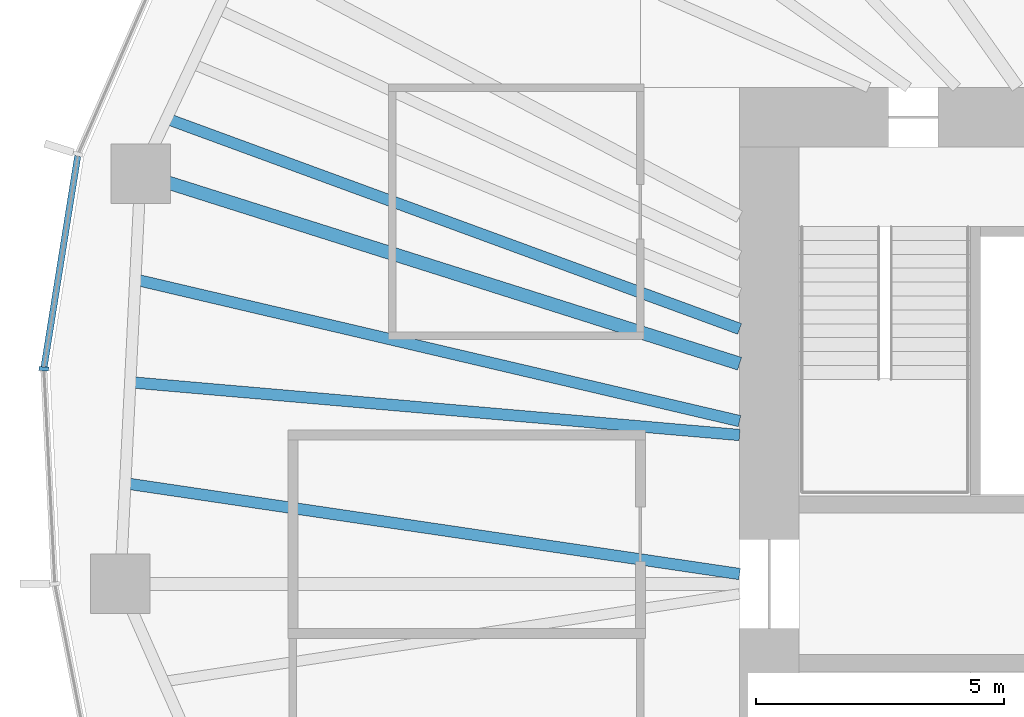
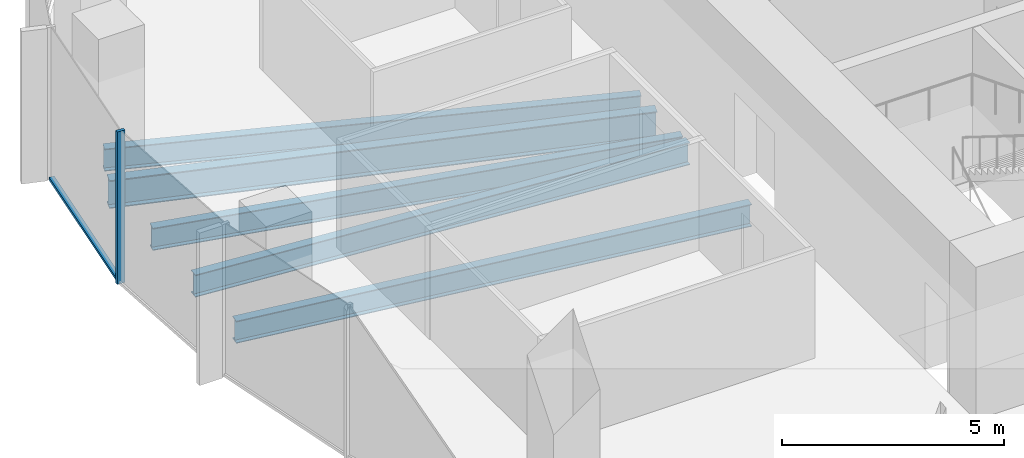
# One storey, part 3 of 12: 5 beams, 2 members, 1 element without a shape of its own.
"""IFC4 building model written with IfcOpenShell, lengths in metres."""

import ifcopenshell
import ifcopenshell.guid

model = None  # the IFC model being written
_history = None  # IfcOwnerHistory: only IFC2X3 demands one
_inside = {}  # id of a spatial element -> (the spatial element, [elements in it])
_under = {}  # id of a project, library or spatial element -> (it, [spatial elements below it])
_declared = {}  # id of a project -> (the project, [libraries it declares])
_typed = {}  # id of a type object -> (the type object, [elements of that type])
_made_of = {}  # id of a material, layer set ... -> (it, [elements and type objects made of it])


def new_model(schema):
    """Start an empty IFC model of exactly this schema.

    Asked for "IFC4X3", IfcOpenShell would pick the latest addendum, in which some entities
    have other attributes; the version numbers below select the first issue.
    IFC2X3 requires an IfcOwnerHistory on every rooted entity: one is made here for all.
    """
    global model, _history
    if schema == "IFC4X3":
        model = ifcopenshell.file(schema_version=(4, 3, 0, 0))
    else:
        model = ifcopenshell.file(schema=schema)
    _inside.clear()
    _under.clear()
    _declared.clear()
    _typed.clear()
    _made_of.clear()
    _history = None
    if model.schema == "IFC2X3":
        org = make("IfcOrganization", Name="unknown")
        user = make(
            "IfcPersonAndOrganization",
            ThePerson=make("IfcPerson", FamilyName="unknown"),
            TheOrganization=org,
        )
        app = make(
            "IfcApplication",
            ApplicationDeveloper=org,
            Version="unknown",
            ApplicationFullName="unknown",
            ApplicationIdentifier="unknown",
        )
        _history = make(
            "IfcOwnerHistory",
            OwningUser=user,
            OwningApplication=app,
            ChangeAction="ADDED",
            CreationDate=0,
        )
    return model


def make(cls, **values):
    """One entity of the class cls with the attributes given. An attribute that is None is left unset."""
    return model.create_entity(
        cls, **{name: value for name, value in values.items() if value is not None}
    )


def rooted(cls, **values):
    """An entity with a GlobalId (a new one), such as an element, a storey or a relation."""
    return make(cls, GlobalId=ifcopenshell.guid.new(), OwnerHistory=_history, **values)


def si_unit(unit_type, name, prefix=None):
    """IfcSIUnit, for example si_unit("LENGTHUNIT", "METRE", prefix="MILLI")."""
    return make("IfcSIUnit", UnitType=unit_type, Prefix=prefix, Name=name)


def assignment(units):
    """IfcUnitAssignment: the units of a project."""
    return None if units is None else make("IfcUnitAssignment", Units=units)


def point(xyz):
    """IfcCartesianPoint."""
    return None if xyz is None else make("IfcCartesianPoint", Coordinates=xyz)


def direction(xyz):
    """IfcDirection."""
    return None if xyz is None else make("IfcDirection", DirectionRatios=xyz)


def frame(location, z_axis=None, x_axis=None):
    """IfcAxis2Placement3D, a coordinate frame: its origin and axes. An axis left out is left unset."""
    return make(
        "IfcAxis2Placement3D",
        Location=point(location),
        Axis=direction(z_axis),
        RefDirection=direction(x_axis),
    )


def frame_2d(location, x_axis=None):
    """IfcAxis2Placement2D, a coordinate frame in the plane: its origin and x axis."""
    return make(
        "IfcAxis2Placement2D", Location=point(location), RefDirection=direction(x_axis)
    )


def origin():
    """The frame at (0, 0, 0) with its axes left unset."""
    return frame((0.0, 0.0, 0.0))


def origin_2d():
    """The frame at (0, 0) in the plane with its x axis left unset."""
    return frame_2d((0.0, 0.0))


def place(relative_to, where):
    """IfcLocalPlacement: puts the frame where relative to a parent placement (None: the world)."""
    return make(
        "IfcLocalPlacement", PlacementRelTo=relative_to, RelativePlacement=where
    )


def context(
    kind, dimensions, precision=None, world=None, true_north=None, identifier=None
):
    """IfcGeometricRepresentationContext, for example the 3D "Model" context."""
    return make(
        "IfcGeometricRepresentationContext",
        ContextIdentifier=identifier,
        ContextType=kind,
        CoordinateSpaceDimension=dimensions,
        Precision=precision,
        WorldCoordinateSystem=world,
        TrueNorth=true_north,
    )


def subcontext(parent, identifier, kind, view, scale=None):
    """IfcGeometricRepresentationSubContext, for example "Body" below "Model"."""
    return make(
        "IfcGeometricRepresentationSubContext",
        ContextIdentifier=identifier,
        ContextType=kind,
        ParentContext=parent,
        TargetScale=scale,
        TargetView=view,
    )


def project(units=None, contexts=None):
    """IfcProject with its units and contexts."""
    return rooted(
        "IfcProject",
        Name="project",
        RepresentationContexts=contexts,
        UnitsInContext=assignment(units),
    )


def spatial(cls, under=None, at=None, **own):
    """A site, building, storey or space (cls), placed at a placement, below another one or the project."""
    s = rooted(cls, ObjectPlacement=at, **own)
    if under is not None:
        _under.setdefault(under.id(), (under, []))[1].append(s)
    return s


def profile(cls, at=None, kind="AREA", **sizes):
    """A parametric profile (cls). Its sizes go by their IFC names, for example OverallWidth=200.0."""
    return make(cls, ProfileType=kind, Position=at, **sizes)


def rectangle(**sizes):
    """IfcRectangleProfileDef."""
    return profile("IfcRectangleProfileDef", **sizes)


def i_section(**sizes):
    """IfcIShapeProfileDef."""
    return profile("IfcIShapeProfileDef", **sizes)


def extrude(swept, where, along, depth):
    """IfcExtrudedAreaSolid: the profile swept, set in the frame where, extruded along a direction by depth."""
    return make(
        "IfcExtrudedAreaSolid",
        SweptArea=swept,
        Position=where,
        ExtrudedDirection=direction(along),
        Depth=depth,
    )


def shape(context_of_items, identifier, shape_type, items):
    """IfcShapeRepresentation: the items that make up one representation, for example the "Body"."""
    return make(
        "IfcShapeRepresentation",
        ContextOfItems=context_of_items,
        RepresentationIdentifier=identifier,
        RepresentationType=shape_type,
        Items=items,
    )


def material(Name=None, Category=None):
    """IfcMaterial."""
    return make("IfcMaterial", Name=Name, Category=Category)


def material_profile(
    of_material, cross_section, Name=None, Category=None, Priority=None
):
    """IfcMaterialProfile: a cross section and its material."""
    return make(
        "IfcMaterialProfile",
        Name=Name,
        Material=of_material,
        Profile=cross_section,
        Priority=Priority,
        Category=Category,
    )


def profile_set(profiles, Name=None, composite=None):
    """IfcMaterialProfileSet."""
    return make(
        "IfcMaterialProfileSet",
        Name=Name,
        MaterialProfiles=profiles,
        CompositeProfile=composite,
    )


def made_of(thing, what):
    """Note that an element or type object is made of a material, layer set ...; save() writes the relation."""
    if what is not None:
        _made_of.setdefault(what.id(), (what, []))[1].append(thing)
    return thing


def type_object(cls, material=None, **own):
    """A type object (cls), such as IfcWallType, which elements share."""
    return made_of(rooted(cls, **own), material)


def element(
    cls,
    number,
    at=None,
    inside=None,
    cuts=None,
    type_object=None,
    material=None,
    context=None,
    identifier="Body",
    shape_type=None,
    held_by="IfcProductDefinitionShape",
    body=None,
    shapes=None,
    **own,
):
    """One element of the class cls, such as IfcWall. Its Tag is "e" and its number.

    at: its placement. inside: the storey or other place that contains it. cuts: it is an
    opening in that element (IfcRelVoidsElement). A single representation is given by context,
    identifier, shape_type and body (its items); several are given by shapes. held_by: the class
    of the entity that holds the representations. save() writes the other relations.
    """
    e = rooted(cls, Tag="e%d" % number, ObjectPlacement=at, **own)
    if body is not None:
        shapes = [shape(context, identifier, shape_type, body)]
    if shapes is not None:
        e.Representation = make(held_by, Representations=shapes)
    if inside is not None:
        _inside.setdefault(inside.id(), (inside, []))[1].append(e)
    if cuts is not None:
        rooted(
            "IfcRelVoidsElement", RelatingBuildingElement=cuts, RelatedOpeningElement=e
        )
    if type_object is not None:
        _typed.setdefault(type_object.id(), (type_object, []))[1].append(e)
    return made_of(e, material)


def aggregate(whole, parts):
    """IfcRelAggregates: a whole, such as a stair, and the parts it consists of."""
    return rooted("IfcRelAggregates", RelatingObject=whole, RelatedObjects=parts)


def save(model, path):
    """Write the relations noted so far, then the file.

    IfcRelAggregates (storeys below a building ...), IfcRelContainedInSpatialStructure (elements
    in a storey), IfcRelDefinesByType, IfcRelAssociatesMaterial and IfcRelDeclares: one each for
    every whole, place, type object, material and project.
    """
    for whole, parts in _under.values():
        aggregate(whole, parts)
    for where, things in _inside.values():
        rooted(
            "IfcRelContainedInSpatialStructure",
            RelatedElements=things,
            RelatingStructure=where,
        )
    for kind, things in _typed.values():
        rooted("IfcRelDefinesByType", RelatedObjects=things, RelatingType=kind)
    for what, things in _made_of.values():
        rooted("IfcRelAssociatesMaterial", RelatedObjects=things, RelatingMaterial=what)
    for by, libraries in _declared.values():
        rooted("IfcRelDeclares", RelatingContext=by, RelatedDefinitions=libraries)
    model.write(path)


model = new_model("IFC4")

# Units and contexts
model_context = context("Model", 3, precision=1e-05, world=origin(), true_north=direction((0.0, 1.0)))
body_context = subcontext(model_context, "Body", "Model", "MODEL_VIEW")
ifc_project = project(units=[si_unit("LENGTHUNIT", "METRE"), si_unit("AREAUNIT", "SQUARE_METRE"), si_unit("VOLUMEUNIT", "CUBIC_METRE"), si_unit("PLANEANGLEUNIT", "RADIAN"), si_unit("MASSUNIT", "GRAM", prefix="KILO")], contexts=[model_context])

# Site, building, storey
site_placement = place(None, origin())
site = spatial("IfcSite", under=ifc_project, at=site_placement, CompositionType="ELEMENT")
building_placement = place(site_placement, origin())
building = spatial("IfcBuilding", under=site, at=building_placement, Name="Ghaith Harvest Tower", CompositionType="ELEMENT")
storey_placement = place(building_placement, frame((0.0, 0.0, 236.800048828125)))
storey = spatial("IfcBuildingStorey", under=building, at=storey_placement, Name="L52", CompositionType="ELEMENT", Elevation=236.800048828125)

# Curtain wall, members
ifc_material_1 = material(Name="Black anodised aluminium and fritted glass", Category="aluminium")
curtain_wall_type = type_object("IfcCurtainWallType", Name="CW-H CURTAIN WALL", PredefinedType="NOTDEFINED", material=ifc_material_1)
curtain_wall_placement = place(storey_placement, origin())
curtain_wall = element("IfcCurtainWall", 1, at=curtain_wall_placement, inside=storey, type_object=curtain_wall_type, Name="Curtain wall CW-H bay 10 L52", PredefinedType="NOTDEFINED")
ifc_material_2 = material(Name="Aluminium, black anodised", Category="aluminium")
ifc_material_profile_1 = material_profile(ifc_material_2, rectangle(XDim=0.080078125, YDim=0.199951171875, at=origin_2d()), Name="CW-H MULLION 80x200")
ifc_profile_set_1 = profile_set([ifc_material_profile_1], Name="Aluminium, black anodised")
member_type_1 = type_object("IfcMemberType", Name="CW-H MULLION 80x200", PredefinedType="MULLION", material=ifc_profile_set_1)
member_1_placement = place(storey_placement, frame((-28.015869140625, 4.333251953125, 0.0), z_axis=(0.0, 0.0, 1.0), x_axis=(-0.054116047044, -0.998534653105, 0.0)))
member_1 = element("IfcMember", 2, at=member_1_placement, type_object=member_type_1, Name="CW-H mullion 2 bay 10 L52", PredefinedType="MULLION", context=body_context, shape_type="SweptSolid", body=[
    extrude(rectangle(XDim=0.080078125, YDim=0.199951171875, at=origin_2d()), origin(), (0.0, 0.0, 1.0), 4.199951171875),
])
ifc_material_3 = material(Name="Aluminium, black anodised", Category="aluminium")
ifc_material_profile_2 = material_profile(ifc_material_3, rectangle(XDim=0.1298828125, YDim=0.080078125, at=origin_2d()), Name="CW-H TRANSOM 130x80")
ifc_profile_set_2 = profile_set([ifc_material_profile_2], Name="Aluminium, black anodised")
member_type_2 = type_object("IfcMemberType", Name="CW-H TRANSOM 130x80", PredefinedType="USERDEFINED", material=ifc_profile_set_2)
member_2_placement = place(storey_placement, frame((-27.33203125, 8.62060546875, 0.0400390625), z_axis=(-0.157492444441, -0.98752019217, 0.0), x_axis=(0.98752019217, -0.157492444441, 0.0)))
member_2 = element("IfcMember", 3, at=member_2_placement, type_object=member_type_2, Name="CW-H transom 1 bay 10 L52", ObjectType="TRANSOM", PredefinedType="USERDEFINED", context=body_context, shape_type="SweptSolid", body=[
    extrude(rectangle(XDim=0.1298828125, YDim=0.080078125, at=origin_2d()), origin(), (0.0, 0.0, 1.0), 4.3017578125),
])
aggregate(curtain_wall, [member_2, member_1])

# Beams
ifc_material_4 = material(Name="Steel ASTM A992 Grade 50", Category="steel")
ifc_material_profile_3 = material_profile(ifc_material_4, i_section(OverallWidth=0.26806640625, OverallDepth=0.77001953125, WebThickness=0.015625, FlangeThickness=0.025390625, at=origin_2d()), Name="W760X196")
ifc_profile_set_3 = profile_set([ifc_material_profile_3], Name="Steel ASTM A992 Grade 50")
beam_type_1 = type_object("IfcBeamType", Name="G760-196 W760X196", PredefinedType="BEAM", material=ifc_profile_set_3)
beam_1_placement = place(storey_placement, frame((-14.0, 4.43701171875, -0.554931640625), z_axis=(-0.953278738841, 0.302092115212, 0.0), x_axis=(-0.302092115212, -0.953278738841, 0.0)))
element("IfcBeam", 4, at=beam_1_placement, inside=storey, type_object=beam_type_1, Name="Radial girder G10 L52", PredefinedType="BEAM", context=body_context, shape_type="SweptSolid", body=[
    extrude(i_section(OverallWidth=0.26806640625, OverallDepth=0.77001953125, WebThickness=0.015625, FlangeThickness=0.025390625, at=origin_2d()), origin(), (0.0, 0.0, 1.0), 12.658203125),
])
ifc_material_5 = material(Name="Steel ASTM A992 Grade 50", Category="steel")
ifc_material_profile_4 = material_profile(ifc_material_5, i_section(OverallWidth=0.22900390625, OverallDepth=0.612060546875, WebThickness=0.011962890625, FlangeThickness=0.01953125, at=origin_2d()), Name="W610X125")
ifc_profile_set_4 = profile_set([ifc_material_profile_4], Name="Steel ASTM A992 Grade 50")
beam_type_2 = type_object("IfcBeamType", Name="J610-125 W610X125", PredefinedType="JOIST", material=ifc_profile_set_4)
beam_2_placement = place(storey_placement, frame((-14.0, 5.137939453125, -0.47607421875), z_axis=(-0.938775301049, 0.344530019216, 0.0), x_axis=(-0.344530019216, -0.938775301049, 0.0)))
element("IfcBeam", 5, at=beam_2_placement, inside=storey, type_object=beam_type_2, Name="Joist J09.3 L52", PredefinedType="JOIST", context=body_context, shape_type="SweptSolid", body=[
    extrude(i_section(OverallWidth=0.22900390625, OverallDepth=0.612060546875, WebThickness=0.011962890625, FlangeThickness=0.01953125, at=origin_2d()), origin(), (0.0, 0.0, 1.0), 12.295166015625),
])
beam_3_placement = place(storey_placement, frame((-14.0, 3.280517578125, -0.47607421875), z_axis=(-0.973621665777, 0.228168472691, 0.0), x_axis=(-0.228168472691, -0.973621665777, 0.0)))
element("IfcBeam", 6, at=beam_3_placement, inside=storey, type_object=beam_type_2, Name="Joist J10.1 L52", PredefinedType="JOIST", context=body_context, shape_type="SweptSolid", body=[
    extrude(i_section(OverallWidth=0.22900390625, OverallDepth=0.612060546875, WebThickness=0.011962890625, FlangeThickness=0.01953125, at=origin_2d()), origin(), (0.0, 0.0, 1.0), 12.501953125),
])
beam_4_placement = place(storey_placement, frame((-14.0, 3.0, -0.47607421875), z_axis=(-0.996265900996, 0.086338024716, 0.0), x_axis=(-0.086338024716, -0.996265900996, 0.0)))
element("IfcBeam", 7, at=beam_4_placement, inside=storey, type_object=beam_type_2, Name="Joist J10.2 L52", PredefinedType="JOIST", context=body_context, shape_type="SweptSolid", body=[
    extrude(i_section(OverallWidth=0.22900390625, OverallDepth=0.612060546875, WebThickness=0.011962890625, FlangeThickness=0.01953125, at=origin_2d()), origin(), (0.0, 0.0, 1.0), 12.3203125),
])
beam_5_placement = place(storey_placement, frame((-14.0, 0.199951171875, -0.47607421875), z_axis=(-0.989269378665, 0.146103033631, 0.0), x_axis=(-0.146103033631, -0.989269378665, 0.0)))
element("IfcBeam", 8, at=beam_5_placement, inside=storey, type_object=beam_type_2, Name="Joist J10.3 L52", PredefinedType="JOIST", context=body_context, shape_type="SweptSolid", body=[
    extrude(i_section(OverallWidth=0.22900390625, OverallDepth=0.612060546875, WebThickness=0.011962890625, FlangeThickness=0.01953125, at=origin_2d()), origin(), (0.0, 0.0, 1.0), 12.50927734375),
])

save(model, "model.ifc")
